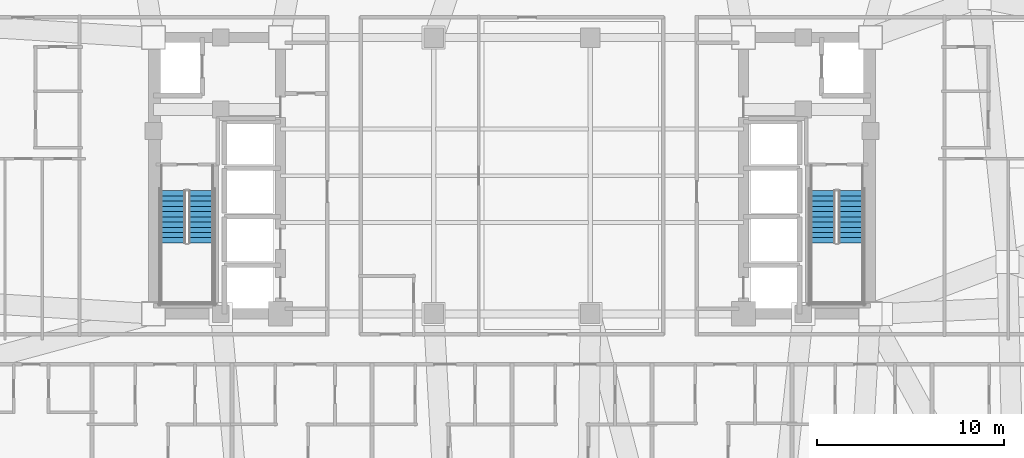
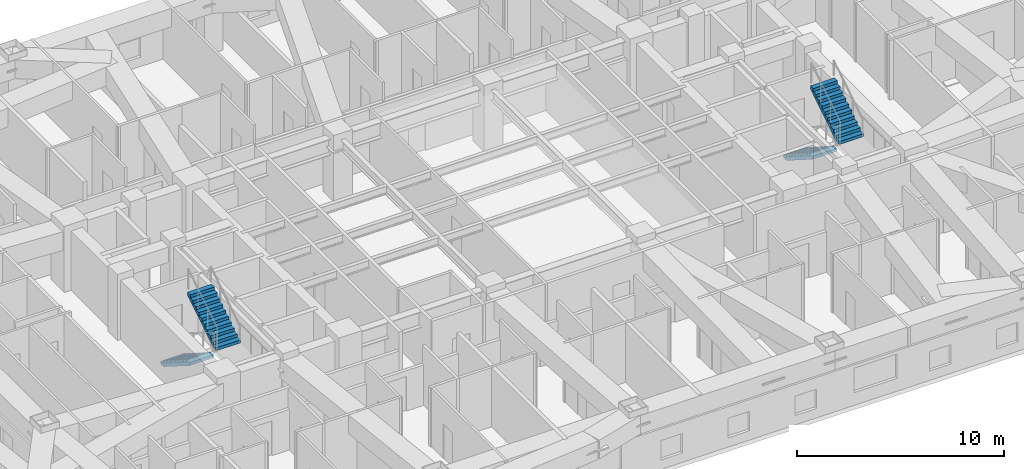
# One storey, part 12 of 14: 4 stair flights, 2 elements without a shape of their own.
"""IFC4 building model written with IfcOpenShell, lengths in metres."""

from ifc_helpers import new_model, si_unit, direction, frame, origin, place, context, subcontext, project, spatial, polyline, outline, extrude, material, type_object, element, aggregate, save


model = new_model("IFC4")

# Units and contexts
model_context = context("Model", 3, precision=1e-05, world=origin(), true_north=direction((0.0, 1.0)))
body_context = subcontext(model_context, "Body", "Model", "MODEL_VIEW")
ifc_project = project(units=[si_unit("LENGTHUNIT", "METRE"), si_unit("AREAUNIT", "SQUARE_METRE"), si_unit("VOLUMEUNIT", "CUBIC_METRE"), si_unit("PLANEANGLEUNIT", "RADIAN"), si_unit("MASSUNIT", "GRAM", prefix="KILO")], contexts=[model_context])

# Site, building, storey
site_placement = place(None, origin())
site = spatial("IfcSite", under=ifc_project, at=site_placement, CompositionType="ELEMENT")
building_placement = place(site_placement, origin())
building = spatial("IfcBuilding", under=site, at=building_placement, Name="Voryun Gate Residences", CompositionType="ELEMENT")
storey_placement = place(building_placement, frame((0.0, 0.0, 136.5)))
storey = spatial("IfcBuildingStorey", under=building, at=storey_placement, Name="L33", CompositionType="ELEMENT", Elevation=136.5)

# Stair, stair flights
ifc_material_1 = material(Name="Concrete C40/50", Category="concrete")
stair_type = type_object("IfcStairType", Name="STR_CORE_DOGLEG_1350", PredefinedType="HALF_TURN_STAIR", material=ifc_material_1)
stair_1_placement = place(storey_placement, origin())
stair_1 = element("IfcStair", 1, at=stair_1_placement, inside=storey, type_object=stair_type, Name="L33 Special Escape Stair ST-W1", PredefinedType="HALF_TURN_STAIR")
ifc_material_2 = material(Name="Concrete C40/50", Category="concrete")
stair_flight_type = type_object("IfcStairFlightType", Name="FLT_CORE_1350", PredefinedType="STRAIGHT", material=ifc_material_2)
stair_flight_1_placement = place(storey_placement, frame((-18.14990234375, -0.800048828125, 0.0), z_axis=(0.0, 0.0, 1.0), x_axis=(0.0, -1.0, 0.0)))
stair_flight_1 = element("IfcStairFlight", 2, at=stair_flight_1_placement, type_object=stair_flight_type, Name="ST-W1 flight 1", NumberOfRisers=11, NumberOfTreads=10, PredefinedType="STRAIGHT", RiserHeight=0.177272727, TreadLength=0.28, context=body_context, shape_type="SweptSolid", body=[
    extrude(outline(polyline([(0.0, 0.0), (0.0, 0.17724609375), (0.280029296875, 0.17724609375), (0.280029296875, 0.3544921875), (0.56005859375, 0.3544921875), (0.56005859375, 0.53173828125), (0.840087890625, 0.53173828125), (0.840087890625, 0.708984375), (1.1201171875, 0.708984375), (1.1201171875, 0.886474609375), (1.39990234375, 0.886474609375), (1.39990234375, 1.063720703125), (1.679931640625, 1.063720703125), (1.679931640625, 1.240966796875), (1.9599609375, 1.240966796875), (1.9599609375, 1.418212890625), (2.239990234375, 1.418212890625), (2.239990234375, 1.595458984375), (2.52001953125, 1.595458984375), (2.52001953125, 1.772705078125), (2.800048828125, 1.772705078125), (2.800048828125, 1.949951171875), (2.800048828125, 1.59521484375), (0.2802734375, 0.0), (0.0, 0.0)])), frame((0.0, 0.675048828125, 0.0), z_axis=(0.0, -1.0, 0.0), x_axis=(1.0, 0.0, 0.0)), (0.0, 0.0, 1.0), 1.35009765625),
])
stair_flight_2_placement = place(storey_placement, frame((-16.64990234375, -3.60009765625, 1.949951171875), z_axis=(0.0, 0.0, 1.0), x_axis=(0.0, 1.0, 0.0)))
stair_flight_2 = element("IfcStairFlight", 3, at=stair_flight_2_placement, type_object=stair_flight_type, Name="ST-W1 flight 2", NumberOfRisers=11, NumberOfTreads=10, PredefinedType="STRAIGHT", RiserHeight=0.177272727, TreadLength=0.28, context=body_context, shape_type="SweptSolid", body=[
    extrude(outline(polyline([(0.0, 0.0), (0.0, 0.17724609375), (0.280029296875, 0.17724609375), (0.280029296875, 0.3544921875), (0.56005859375, 0.3544921875), (0.56005859375, 0.53173828125), (0.840087890625, 0.53173828125), (0.840087890625, 0.708984375), (1.1201171875, 0.708984375), (1.1201171875, 0.886474609375), (1.39990234375, 0.886474609375), (1.39990234375, 1.063720703125), (1.679931640625, 1.063720703125), (1.679931640625, 1.240966796875), (1.9599609375, 1.240966796875), (1.9599609375, 1.418212890625), (2.239990234375, 1.418212890625), (2.239990234375, 1.595458984375), (2.52001953125, 1.595458984375), (2.52001953125, 1.772705078125), (2.800048828125, 1.772705078125), (2.800048828125, 1.949951171875), (2.800048828125, 1.59521484375), (0.2802734375, 0.0), (0.0, 0.0)])), frame((0.0, 0.675048828125, 0.0), z_axis=(0.0, -1.0, 0.0), x_axis=(1.0, 0.0, 0.0)), (0.0, 0.0, 1.0), 1.35009765625),
])
aggregate(stair_1, [stair_flight_1, stair_flight_2])

stair_2_placement = place(storey_placement, origin())
stair_2 = element("IfcStair", 4, at=stair_2_placement, inside=storey, type_object=stair_type, Name="L33 Special Escape Stair ST-E1", PredefinedType="HALF_TURN_STAIR")
stair_flight_3_placement = place(storey_placement, frame((16.64990234375, -0.800048828125, 0.0), z_axis=(0.0, 0.0, 1.0), x_axis=(0.0, -1.0, 0.0)))
stair_flight_3 = element("IfcStairFlight", 5, at=stair_flight_3_placement, type_object=stair_flight_type, Name="ST-E1 flight 1", NumberOfRisers=11, NumberOfTreads=10, PredefinedType="STRAIGHT", RiserHeight=0.177272727, TreadLength=0.28, context=body_context, shape_type="SweptSolid", body=[
    extrude(outline(polyline([(0.0, 0.0), (0.0, 0.17724609375), (0.280029296875, 0.17724609375), (0.280029296875, 0.3544921875), (0.56005859375, 0.3544921875), (0.56005859375, 0.53173828125), (0.840087890625, 0.53173828125), (0.840087890625, 0.708984375), (1.1201171875, 0.708984375), (1.1201171875, 0.886474609375), (1.39990234375, 0.886474609375), (1.39990234375, 1.063720703125), (1.679931640625, 1.063720703125), (1.679931640625, 1.240966796875), (1.9599609375, 1.240966796875), (1.9599609375, 1.418212890625), (2.239990234375, 1.418212890625), (2.239990234375, 1.595458984375), (2.52001953125, 1.595458984375), (2.52001953125, 1.772705078125), (2.800048828125, 1.772705078125), (2.800048828125, 1.949951171875), (2.800048828125, 1.59521484375), (0.2802734375, 0.0), (0.0, 0.0)])), frame((0.0, 0.675048828125, 0.0), z_axis=(0.0, -1.0, 0.0), x_axis=(1.0, 0.0, 0.0)), (0.0, 0.0, 1.0), 1.35009765625),
])
stair_flight_4_placement = place(storey_placement, frame((18.14990234375, -3.60009765625, 1.949951171875), z_axis=(0.0, 0.0, 1.0), x_axis=(0.0, 1.0, 0.0)))
stair_flight_4 = element("IfcStairFlight", 6, at=stair_flight_4_placement, type_object=stair_flight_type, Name="ST-E1 flight 2", NumberOfRisers=11, NumberOfTreads=10, PredefinedType="STRAIGHT", RiserHeight=0.177272727, TreadLength=0.28, context=body_context, shape_type="SweptSolid", body=[
    extrude(outline(polyline([(0.0, 0.0), (0.0, 0.17724609375), (0.280029296875, 0.17724609375), (0.280029296875, 0.3544921875), (0.56005859375, 0.3544921875), (0.56005859375, 0.53173828125), (0.840087890625, 0.53173828125), (0.840087890625, 0.708984375), (1.1201171875, 0.708984375), (1.1201171875, 0.886474609375), (1.39990234375, 0.886474609375), (1.39990234375, 1.063720703125), (1.679931640625, 1.063720703125), (1.679931640625, 1.240966796875), (1.9599609375, 1.240966796875), (1.9599609375, 1.418212890625), (2.239990234375, 1.418212890625), (2.239990234375, 1.595458984375), (2.52001953125, 1.595458984375), (2.52001953125, 1.772705078125), (2.800048828125, 1.772705078125), (2.800048828125, 1.949951171875), (2.800048828125, 1.59521484375), (0.2802734375, 0.0), (0.0, 0.0)])), frame((0.0, 0.675048828125, 0.0), z_axis=(0.0, -1.0, 0.0), x_axis=(1.0, 0.0, 0.0)), (0.0, 0.0, 1.0), 1.35009765625),
])
aggregate(stair_2, [stair_flight_3, stair_flight_4])

save(model, "model.ifc")
